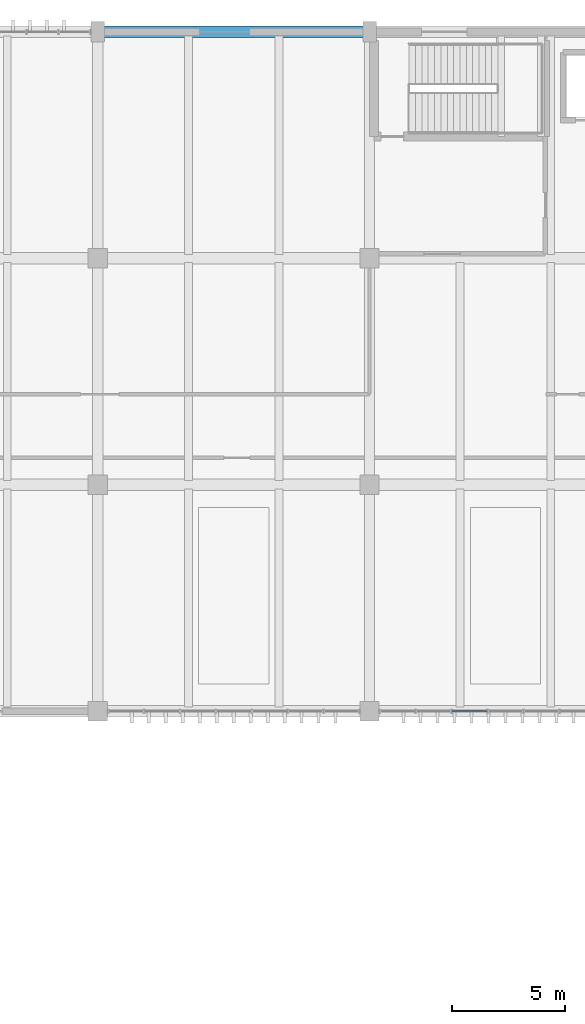
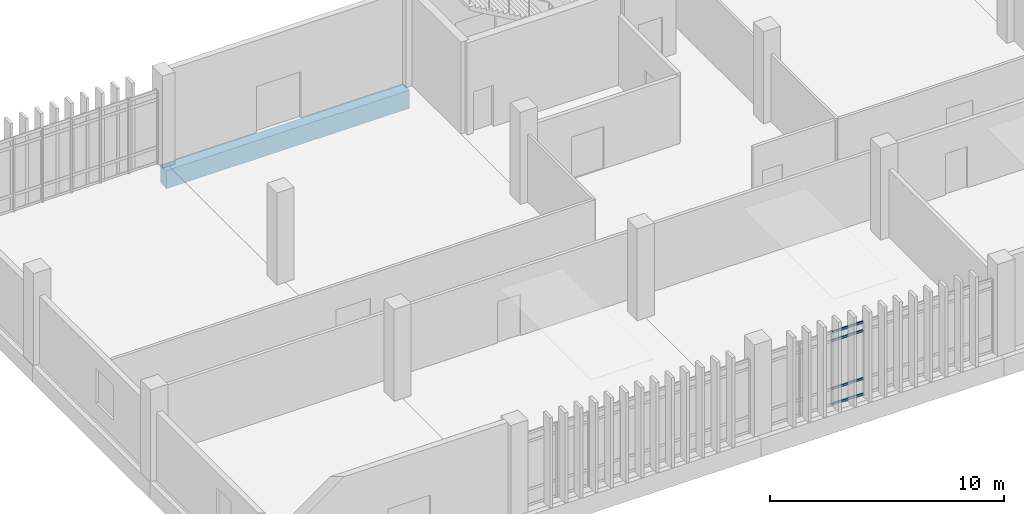
# One storey, part 38 of 87: 4 members, 1 beam, 1 element without a shape of its own.
"""IFC4 building model written with IfcOpenShell, lengths in metres."""

from ifc_helpers import new_model, si_unit, direction, frame, origin, origin_2d, place, context, subcontext, project, spatial, rectangle, hollow_rectangle, extrude, material, layer, layer_set, material_profile, profile_set, type_object, element, aggregate, save


model = new_model("IFC4")

# Units and contexts
model_context = context("Model", 3, precision=1e-05, world=origin(), true_north=direction((0.0, 1.0)))
body_context = subcontext(model_context, "Body", "Model", "MODEL_VIEW")
ifc_project = project(units=[si_unit("LENGTHUNIT", "METRE"), si_unit("AREAUNIT", "SQUARE_METRE"), si_unit("VOLUMEUNIT", "CUBIC_METRE"), si_unit("PLANEANGLEUNIT", "RADIAN"), si_unit("MASSUNIT", "GRAM", prefix="KILO")], contexts=[model_context])

# Site, building, storey
site_placement = place(None, origin())
site = spatial("IfcSite", under=ifc_project, at=site_placement, CompositionType="ELEMENT")
building_placement = place(site_placement, origin())
building = spatial("IfcBuilding", under=site, at=building_placement, Name="Mersad Railyard Sports Hall", CompositionType="ELEMENT")
storey_placement = place(building_placement, origin())
storey = spatial("IfcBuildingStorey", under=building, at=storey_placement, Name="L00", CompositionType="ELEMENT", Elevation=0.0)

# Curtain wall, members
ifc_material_1 = material(Name="Aluminium 6063-T6", Category="aluminium")
ifc_layer = layer(ifc_material_1, 0.159912109375)
ifc_layer_set = layer_set([ifc_layer], Name="Aluminium 6063-T6")
curtain_wall_type = type_object("IfcCurtainWallType", Name="ARC-CW-CW31", PredefinedType="USERDEFINED", material=ifc_layer_set)
curtain_wall_placement = place(storey_placement, origin())
curtain_wall = element("IfcCurtainWall", 1, at=curtain_wall_placement, inside=storey, type_object=curtain_wall_type, Name="Curtain wall CW31-0091", ObjectType="CURTAIN WALL", PredefinedType="USERDEFINED")
ifc_material_profile_1 = material_profile(ifc_material_1, hollow_rectangle(XDim=0.06005859375, YDim=0.1201171875, WallThickness=0.00390625, at=origin_2d()), Name="AL TRANSOM 60x120x4")
ifc_profile_set_1 = profile_set([ifc_material_profile_1], Name="Aluminium 6063-T6")
member_type = type_object("IfcMemberType", Name="ARC-CW-TRN01", PredefinedType="USERDEFINED", material=ifc_profile_set_1)
member_1_placement = place(storey_placement, frame((72.1865234375, 85.0, 0.0400390625), z_axis=(-1.0, 0.0, 0.0), x_axis=(0.0, -1.0, 0.0)))
member_1 = element("IfcMember", 2, at=member_1_placement, type_object=member_type, Name="CW31 Transom 1-5", ObjectType="TRANSOM", PredefinedType="USERDEFINED", context=body_context, shape_type="SweptSolid", body=[
    extrude(hollow_rectangle(XDim=0.06005859375, YDim=0.1201171875, WallThickness=0.00390625, at=origin_2d()), origin(), (0.0, 0.0, 1.0), 1.547119140625),
])
member_2_placement = place(storey_placement, frame((72.1865234375, 85.0, 0.85009765625), z_axis=(-1.0, 0.0, 0.0), x_axis=(0.0, -1.0, 0.0)))
member_2 = element("IfcMember", 3, at=member_2_placement, type_object=member_type, Name="CW31 Transom 2-5", ObjectType="TRANSOM", PredefinedType="USERDEFINED", context=body_context, shape_type="SweptSolid", body=[
    extrude(hollow_rectangle(XDim=0.06005859375, YDim=0.1201171875, WallThickness=0.00390625, at=origin_2d()), origin(), (0.0, 0.0, 1.0), 1.547119140625),
])
member_3_placement = place(storey_placement, frame((72.1865234375, 85.0, 3.35009765625), z_axis=(-1.0, 0.0, 0.0), x_axis=(0.0, -1.0, 0.0)))
member_3 = element("IfcMember", 4, at=member_3_placement, type_object=member_type, Name="CW31 Transom 3-5", ObjectType="TRANSOM", PredefinedType="USERDEFINED", context=body_context, shape_type="SweptSolid", body=[
    extrude(hollow_rectangle(XDim=0.06005859375, YDim=0.1201171875, WallThickness=0.00390625, at=origin_2d()), origin(), (0.0, 0.0, 1.0), 1.547119140625),
])
member_4_placement = place(storey_placement, frame((72.1865234375, 85.0, 3.7900390625), z_axis=(-1.0, 0.0, 0.0), x_axis=(0.0, -1.0, 0.0)))
member_4 = element("IfcMember", 5, at=member_4_placement, type_object=member_type, Name="CW31 Transom 4-5", ObjectType="TRANSOM", PredefinedType="USERDEFINED", context=body_context, shape_type="SweptSolid", body=[
    extrude(hollow_rectangle(XDim=0.06005859375, YDim=0.1201171875, WallThickness=0.00390625, at=origin_2d()), origin(), (0.0, 0.0, 1.0), 1.547119140625),
])
aggregate(curtain_wall, [member_1, member_2, member_3, member_4])

# Beam
ifc_material_2 = material(Name="Concrete C50/60", Category="concrete")
ifc_material_profile_2 = material_profile(ifc_material_2, rectangle(XDim=0.5, YDim=0.949951171875, at=origin_2d()), Name="RC 500x950")
ifc_profile_set_2 = profile_set([ifc_material_profile_2], Name="Concrete C50/60")
beam_type = type_object("IfcBeamType", Name="STR-BM-B03", PredefinedType="BEAM", material=ifc_profile_set_2)
beam_placement = place(storey_placement, frame((55.0, 115.0, -0.824951171875), z_axis=(1.0, 0.0, 0.0), x_axis=(0.0, 1.0, 0.0)))
element("IfcBeam", 6, at=beam_placement, inside=storey, type_object=beam_type, Name="Beam B03-0167", PredefinedType="BEAM", context=body_context, shape_type="SweptSolid", body=[
    extrude(rectangle(XDim=0.5, YDim=0.949951171875, at=origin_2d()), origin(), (0.0, 0.0, 1.0), 12.0),
])

save(model, "model.ifc")
